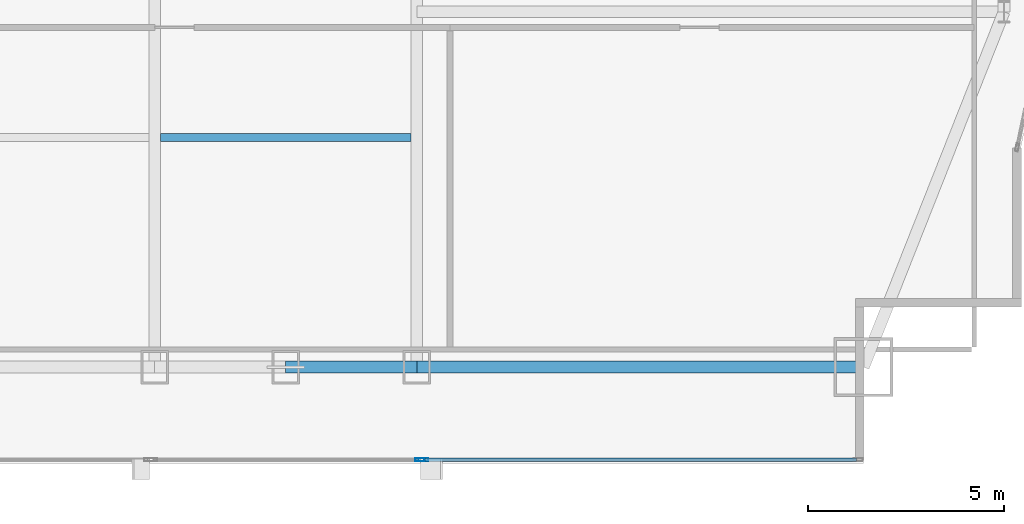
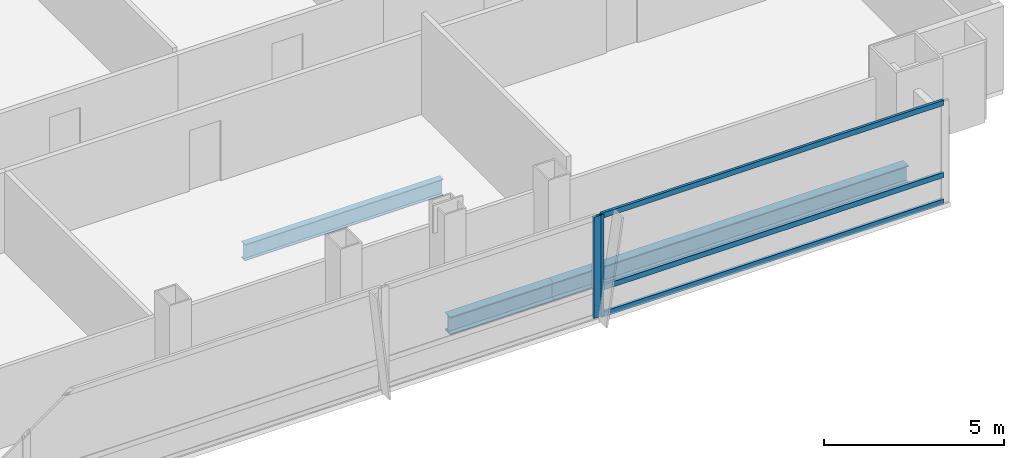
# One storey, part 15 of 33: 5 members, 3 beams, 2 elements without a shape of their own.
"""IFC4 building model written with IfcOpenShell, lengths in metres."""

from ifc_helpers import new_model, si_unit, direction, frame, origin, origin_2d, place, context, subcontext, project, spatial, hollow_rectangle, i_section, extrude, material, material_profile, profile_set, type_object, element, aggregate, save


model = new_model("IFC4")

# Units and contexts
model_context = context("Model", 3, precision=1e-05, world=origin(), true_north=direction((0.0, 1.0)))
body_context = subcontext(model_context, "Body", "Model", "MODEL_VIEW")
ifc_project = project(units=[si_unit("LENGTHUNIT", "METRE"), si_unit("AREAUNIT", "SQUARE_METRE"), si_unit("VOLUMEUNIT", "CUBIC_METRE"), si_unit("PLANEANGLEUNIT", "RADIAN"), si_unit("MASSUNIT", "GRAM", prefix="KILO")], contexts=[model_context])

# Site, building, storey
site_placement = place(None, origin())
site = spatial("IfcSite", under=ifc_project, at=site_placement, CompositionType="ELEMENT")
building_placement = place(site_placement, origin())
building = spatial("IfcBuilding", under=site, at=building_placement, Name="Khoronbel Lancet Exchange", CompositionType="ELEMENT")
storey_placement = place(building_placement, frame((0.0, 0.0, 114.60009765625)))
storey = spatial("IfcBuildingStorey", under=building, at=storey_placement, Name="L27", CompositionType="ELEMENT", Elevation=114.60009765625)

# Beams
ifc_material_1 = material(Name="Steel S355", Category="steel")
ifc_material_profile_1 = material_profile(ifc_material_1, i_section(OverallWidth=0.2099609375, OverallDepth=0.550048828125, WebThickness=0.010986328125, FlangeThickness=0.01708984375, at=origin_2d()), Name="IPE 550")
ifc_profile_set_1 = profile_set([ifc_material_profile_1], Name="Steel S355")
beam_type_1 = type_object("IfcBeamType", Name="BM-BJ2", PredefinedType="JOIST", material=ifc_profile_set_1)
beam_1_placement = place(storey_placement, frame((48.14990234375, 16.0, -0.43505859375), z_axis=(1.0, 0.0, 0.0), x_axis=(0.0, 1.0, 0.0)))
element("IfcBeam", 1, at=beam_1_placement, inside=storey, type_object=beam_type_1, Name="Level L27 secondary composite joist J05", PredefinedType="JOIST", context=body_context, shape_type="SweptSolid", body=[
    extrude(i_section(OverallWidth=0.2099609375, OverallDepth=0.550048828125, WebThickness=0.010986328125, FlangeThickness=0.01708984375, at=origin_2d()), origin(), (0.0, 0.0, 1.0), 6.375),
])
ifc_material_profile_2 = material_profile(ifc_material_1, i_section(OverallWidth=0.300048828125, OverallDepth=0.60009765625, WebThickness=0.015380859375, FlangeThickness=0.030029296875, at=origin_2d()), Name="HEB 600")
ifc_profile_set_2 = profile_set([ifc_material_profile_2], Name="Steel S355")
beam_type_2 = type_object("IfcBeamType", Name="BM-BSP2", PredefinedType="SPANDREL", material=ifc_profile_set_2)
beam_2_placement = place(storey_placement, frame((51.33740234375, 10.14990234375, -0.460205078125), z_axis=(1.0, 0.0, 0.0), x_axis=(0.0, 1.0, 0.0)))
element("IfcBeam", 2, at=beam_2_placement, inside=storey, type_object=beam_type_2, Name="Level L27 perimeter spandrel beam SP08", PredefinedType="SPANDREL", context=body_context, shape_type="SweptSolid", body=[
    extrude(i_section(OverallWidth=0.300048828125, OverallDepth=0.60009765625, WebThickness=0.015380859375, FlangeThickness=0.030029296875, at=origin_2d()), origin(), (0.0, 0.0, 1.0), 3.337646484375),
])
beam_3_placement = place(storey_placement, frame((54.675048828125, 10.14990234375, -0.460205078125), z_axis=(1.0, 0.0, 0.0), x_axis=(0.0, 1.0, 0.0)))
element("IfcBeam", 3, at=beam_3_placement, inside=storey, type_object=beam_type_2, Name="Level L27 perimeter spandrel beam SP09", PredefinedType="SPANDREL", context=body_context, shape_type="SweptSolid", body=[
    extrude(i_section(OverallWidth=0.300048828125, OverallDepth=0.60009765625, WebThickness=0.015380859375, FlangeThickness=0.030029296875, at=origin_2d()), origin(), (0.0, 0.0, 1.0), 11.375),
])

# Curtain wall, member
ifc_material_2 = material(Name="Low-E Solar Control Insulating Glass", Category="glass")
curtain_wall_type = type_object("IfcCurtainWallType", Name="CW-2", PredefinedType="NOTDEFINED", material=ifc_material_2)
curtain_wall_1_placement = place(storey_placement, origin())
curtain_wall_1 = element("IfcCurtainWall", 4, at=curtain_wall_1_placement, inside=storey, type_object=curtain_wall_type, Name="Unitised curtain wall CW-L27-SEB", PredefinedType="NOTDEFINED")
ifc_material_3 = material(Name="Bronze-Anodised Aluminium 6063-T6", Category="aluminium")
ifc_material_profile_3 = material_profile(ifc_material_3, hollow_rectangle(XDim=0.0849609375, YDim=0.239990234375, WallThickness=0.006103515625, at=origin_2d()), Name="ALU MULLION 85x240")
ifc_profile_set_3 = profile_set([ifc_material_profile_3], Name="Bronze-Anodised Aluminium 6063-T6")
member_type_1 = type_object("IfcMemberType", Name="MEM-CWM1", PredefinedType="MULLION", material=ifc_profile_set_3)
member_1_placement = place(storey_placement, frame((54.757568359375, 7.7900390625, 0.0), z_axis=(0.0, 0.0, 1.0), x_axis=(0.0, 1.0, 0.0)))
member_1 = element("IfcMember", 5, at=member_1_placement, type_object=member_type_1, Name="CW2 mullion 2", PredefinedType="MULLION", context=body_context, shape_type="SweptSolid", body=[
    extrude(hollow_rectangle(XDim=0.0849609375, YDim=0.239990234375, WallThickness=0.006103515625, at=origin_2d()), origin(), (0.0, 0.0, 1.0), 3.43994140625),
])
aggregate(curtain_wall_1, [member_1])

# Curtain wall, members
curtain_wall_2_placement = place(storey_placement, origin())
curtain_wall_2 = element("IfcCurtainWall", 6, at=curtain_wall_2_placement, inside=storey, type_object=curtain_wall_type, Name="Unitised curtain wall CW-L27-SEV", PredefinedType="NOTDEFINED")
member_2_placement = place(storey_placement, frame((54.842529296875, 7.7900390625, 0.0), z_axis=(0.0, 0.0, 1.0), x_axis=(0.0, 1.0, 0.0)))
member_2 = element("IfcMember", 7, at=member_2_placement, type_object=member_type_1, Name="CW2 mullion 1", PredefinedType="MULLION", context=body_context, shape_type="SweptSolid", body=[
    extrude(hollow_rectangle(XDim=0.0849609375, YDim=0.239990234375, WallThickness=0.006103515625, at=origin_2d()), origin(), (0.0, 0.0, 1.0), 3.43994140625),
])
ifc_material_profile_4 = material_profile(ifc_material_3, hollow_rectangle(XDim=0.0849609375, YDim=0.179931640625, WallThickness=0.0048828125, at=origin_2d()), Name="ALU TRANSOM 85x180")
ifc_profile_set_4 = profile_set([ifc_material_profile_4], Name="Bronze-Anodised Aluminium 6063-T6")
member_type_2 = type_object("IfcMemberType", Name="MEM-CWT1", PredefinedType="USERDEFINED", material=ifc_profile_set_4)
member_3_placement = place(storey_placement, frame((54.885009765625, 7.7900390625, 0.04248046875), z_axis=(1.0, 0.0, 0.0), x_axis=(0.0, 1.0, 0.0)))
member_3 = element("IfcMember", 8, at=member_3_placement, type_object=member_type_2, Name="CW2 transom 1.1", ObjectType="TRANSOM", PredefinedType="USERDEFINED", context=body_context, shape_type="SweptSolid", body=[
    extrude(hollow_rectangle(XDim=0.0849609375, YDim=0.179931640625, WallThickness=0.0048828125, at=origin_2d()), origin(), (0.0, 0.0, 1.0), 10.989990234375),
])
member_4_placement = place(storey_placement, frame((54.885009765625, 7.7900390625, 0.949951171875), z_axis=(1.0, 0.0, 0.0), x_axis=(0.0, 1.0, 0.0)))
member_4 = element("IfcMember", 9, at=member_4_placement, type_object=member_type_2, Name="CW2 transom 1.2", ObjectType="TRANSOM", PredefinedType="USERDEFINED", context=body_context, shape_type="SweptSolid", body=[
    extrude(hollow_rectangle(XDim=0.0849609375, YDim=0.179931640625, WallThickness=0.0048828125, at=origin_2d()), origin(), (0.0, 0.0, 1.0), 10.989990234375),
])
member_5_placement = place(storey_placement, frame((54.885009765625, 7.7900390625, 3.3974609375), z_axis=(1.0, 0.0, 0.0), x_axis=(0.0, 1.0, 0.0)))
member_5 = element("IfcMember", 10, at=member_5_placement, type_object=member_type_2, Name="CW2 transom 1.3", ObjectType="TRANSOM", PredefinedType="USERDEFINED", context=body_context, shape_type="SweptSolid", body=[
    extrude(hollow_rectangle(XDim=0.0849609375, YDim=0.179931640625, WallThickness=0.0048828125, at=origin_2d()), origin(), (0.0, 0.0, 1.0), 10.989990234375),
])
aggregate(curtain_wall_2, [member_2, member_3, member_4, member_5])

save(model, "model.ifc")
